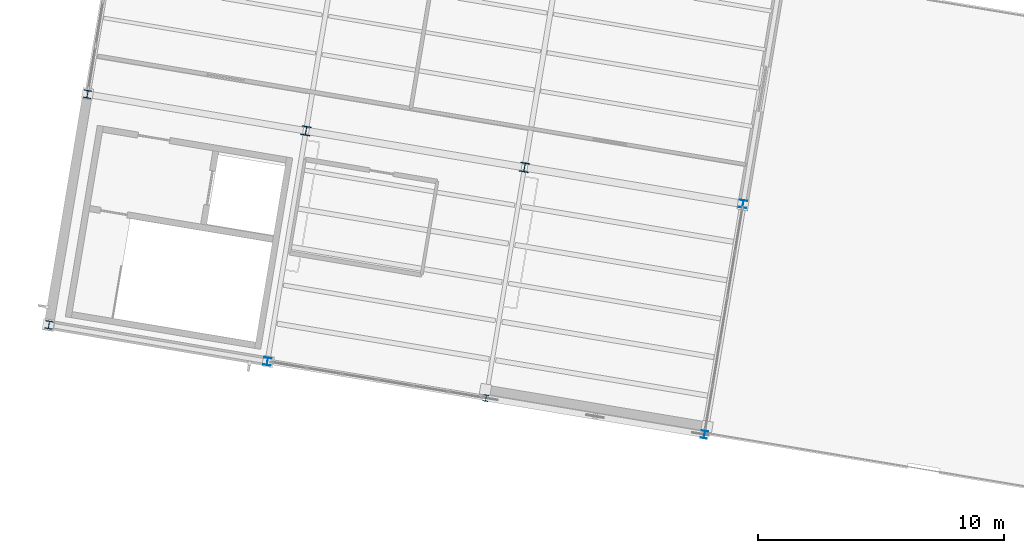
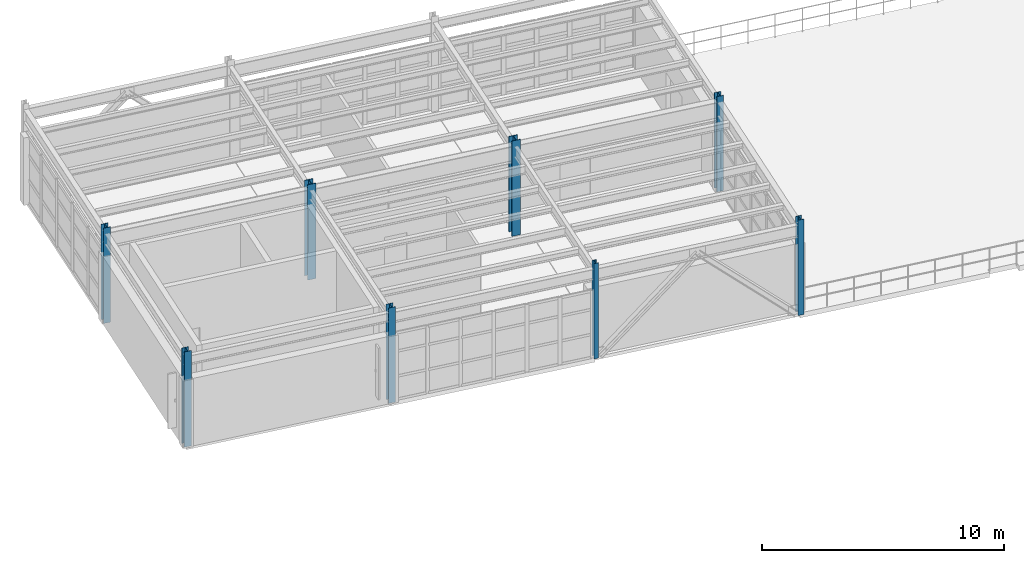
# One storey, part 7 of 59: 8 columns.
"""IFC4 building model written with IfcOpenShell, lengths in metres."""

import ifcopenshell
import ifcopenshell.guid

model = None  # the IFC model being written
_history = None  # IfcOwnerHistory: only IFC2X3 demands one
_inside = {}  # id of a spatial element -> (the spatial element, [elements in it])
_under = {}  # id of a project, library or spatial element -> (it, [spatial elements below it])
_declared = {}  # id of a project -> (the project, [libraries it declares])
_typed = {}  # id of a type object -> (the type object, [elements of that type])
_made_of = {}  # id of a material, layer set ... -> (it, [elements and type objects made of it])


def new_model(schema):
    """Start an empty IFC model of exactly this schema.

    Asked for "IFC4X3", IfcOpenShell would pick the latest addendum, in which some entities
    have other attributes; the version numbers below select the first issue.
    IFC2X3 requires an IfcOwnerHistory on every rooted entity: one is made here for all.
    """
    global model, _history
    if schema == "IFC4X3":
        model = ifcopenshell.file(schema_version=(4, 3, 0, 0))
    else:
        model = ifcopenshell.file(schema=schema)
    _inside.clear()
    _under.clear()
    _declared.clear()
    _typed.clear()
    _made_of.clear()
    _history = None
    if model.schema == "IFC2X3":
        org = make("IfcOrganization", Name="unknown")
        user = make(
            "IfcPersonAndOrganization",
            ThePerson=make("IfcPerson", FamilyName="unknown"),
            TheOrganization=org,
        )
        app = make(
            "IfcApplication",
            ApplicationDeveloper=org,
            Version="unknown",
            ApplicationFullName="unknown",
            ApplicationIdentifier="unknown",
        )
        _history = make(
            "IfcOwnerHistory",
            OwningUser=user,
            OwningApplication=app,
            ChangeAction="ADDED",
            CreationDate=0,
        )
    return model


def make(cls, **values):
    """One entity of the class cls with the attributes given. An attribute that is None is left unset."""
    return model.create_entity(
        cls, **{name: value for name, value in values.items() if value is not None}
    )


def rooted(cls, **values):
    """An entity with a GlobalId (a new one), such as an element, a storey or a relation."""
    return make(cls, GlobalId=ifcopenshell.guid.new(), OwnerHistory=_history, **values)


def si_unit(unit_type, name, prefix=None):
    """IfcSIUnit, for example si_unit("LENGTHUNIT", "METRE", prefix="MILLI")."""
    return make("IfcSIUnit", UnitType=unit_type, Prefix=prefix, Name=name)


def assignment(units):
    """IfcUnitAssignment: the units of a project."""
    return None if units is None else make("IfcUnitAssignment", Units=units)


def point(xyz):
    """IfcCartesianPoint."""
    return None if xyz is None else make("IfcCartesianPoint", Coordinates=xyz)


def direction(xyz):
    """IfcDirection."""
    return None if xyz is None else make("IfcDirection", DirectionRatios=xyz)


def frame(location, z_axis=None, x_axis=None):
    """IfcAxis2Placement3D, a coordinate frame: its origin and axes. An axis left out is left unset."""
    return make(
        "IfcAxis2Placement3D",
        Location=point(location),
        Axis=direction(z_axis),
        RefDirection=direction(x_axis),
    )


def frame_2d(location, x_axis=None):
    """IfcAxis2Placement2D, a coordinate frame in the plane: its origin and x axis."""
    return make(
        "IfcAxis2Placement2D", Location=point(location), RefDirection=direction(x_axis)
    )


def origin():
    """The frame at (0, 0, 0) with its axes left unset."""
    return frame((0.0, 0.0, 0.0))


def origin_2d():
    """The frame at (0, 0) in the plane with its x axis left unset."""
    return frame_2d((0.0, 0.0))


def place(relative_to, where):
    """IfcLocalPlacement: puts the frame where relative to a parent placement (None: the world)."""
    return make(
        "IfcLocalPlacement", PlacementRelTo=relative_to, RelativePlacement=where
    )


def context(
    kind, dimensions, precision=None, world=None, true_north=None, identifier=None
):
    """IfcGeometricRepresentationContext, for example the 3D "Model" context."""
    return make(
        "IfcGeometricRepresentationContext",
        ContextIdentifier=identifier,
        ContextType=kind,
        CoordinateSpaceDimension=dimensions,
        Precision=precision,
        WorldCoordinateSystem=world,
        TrueNorth=true_north,
    )


def subcontext(parent, identifier, kind, view, scale=None):
    """IfcGeometricRepresentationSubContext, for example "Body" below "Model"."""
    return make(
        "IfcGeometricRepresentationSubContext",
        ContextIdentifier=identifier,
        ContextType=kind,
        ParentContext=parent,
        TargetScale=scale,
        TargetView=view,
    )


def project(units=None, contexts=None):
    """IfcProject with its units and contexts."""
    return rooted(
        "IfcProject",
        Name="project",
        RepresentationContexts=contexts,
        UnitsInContext=assignment(units),
    )


def spatial(cls, under=None, at=None, **own):
    """A site, building, storey or space (cls), placed at a placement, below another one or the project."""
    s = rooted(cls, ObjectPlacement=at, **own)
    if under is not None:
        _under.setdefault(under.id(), (under, []))[1].append(s)
    return s


def profile(cls, at=None, kind="AREA", **sizes):
    """A parametric profile (cls). Its sizes go by their IFC names, for example OverallWidth=200.0."""
    return make(cls, ProfileType=kind, Position=at, **sizes)


def i_section(**sizes):
    """IfcIShapeProfileDef."""
    return profile("IfcIShapeProfileDef", **sizes)


def extrude(swept, where, along, depth):
    """IfcExtrudedAreaSolid: the profile swept, set in the frame where, extruded along a direction by depth."""
    return make(
        "IfcExtrudedAreaSolid",
        SweptArea=swept,
        Position=where,
        ExtrudedDirection=direction(along),
        Depth=depth,
    )


def shape(context_of_items, identifier, shape_type, items):
    """IfcShapeRepresentation: the items that make up one representation, for example the "Body"."""
    return make(
        "IfcShapeRepresentation",
        ContextOfItems=context_of_items,
        RepresentationIdentifier=identifier,
        RepresentationType=shape_type,
        Items=items,
    )


def material(Name=None, Category=None):
    """IfcMaterial."""
    return make("IfcMaterial", Name=Name, Category=Category)


def material_profile(
    of_material, cross_section, Name=None, Category=None, Priority=None
):
    """IfcMaterialProfile: a cross section and its material."""
    return make(
        "IfcMaterialProfile",
        Name=Name,
        Material=of_material,
        Profile=cross_section,
        Priority=Priority,
        Category=Category,
    )


def profile_set(profiles, Name=None, composite=None):
    """IfcMaterialProfileSet."""
    return make(
        "IfcMaterialProfileSet",
        Name=Name,
        MaterialProfiles=profiles,
        CompositeProfile=composite,
    )


def made_of(thing, what):
    """Note that an element or type object is made of a material, layer set ...; save() writes the relation."""
    if what is not None:
        _made_of.setdefault(what.id(), (what, []))[1].append(thing)
    return thing


def type_object(cls, material=None, **own):
    """A type object (cls), such as IfcWallType, which elements share."""
    return made_of(rooted(cls, **own), material)


def element(
    cls,
    number,
    at=None,
    inside=None,
    cuts=None,
    type_object=None,
    material=None,
    context=None,
    identifier="Body",
    shape_type=None,
    held_by="IfcProductDefinitionShape",
    body=None,
    shapes=None,
    **own,
):
    """One element of the class cls, such as IfcWall. Its Tag is "e" and its number.

    at: its placement. inside: the storey or other place that contains it. cuts: it is an
    opening in that element (IfcRelVoidsElement). A single representation is given by context,
    identifier, shape_type and body (its items); several are given by shapes. held_by: the class
    of the entity that holds the representations. save() writes the other relations.
    """
    e = rooted(cls, Tag="e%d" % number, ObjectPlacement=at, **own)
    if body is not None:
        shapes = [shape(context, identifier, shape_type, body)]
    if shapes is not None:
        e.Representation = make(held_by, Representations=shapes)
    if inside is not None:
        _inside.setdefault(inside.id(), (inside, []))[1].append(e)
    if cuts is not None:
        rooted(
            "IfcRelVoidsElement", RelatingBuildingElement=cuts, RelatedOpeningElement=e
        )
    if type_object is not None:
        _typed.setdefault(type_object.id(), (type_object, []))[1].append(e)
    return made_of(e, material)


def aggregate(whole, parts):
    """IfcRelAggregates: a whole, such as a stair, and the parts it consists of."""
    return rooted("IfcRelAggregates", RelatingObject=whole, RelatedObjects=parts)


def save(model, path):
    """Write the relations noted so far, then the file.

    IfcRelAggregates (storeys below a building ...), IfcRelContainedInSpatialStructure (elements
    in a storey), IfcRelDefinesByType, IfcRelAssociatesMaterial and IfcRelDeclares: one each for
    every whole, place, type object, material and project.
    """
    for whole, parts in _under.values():
        aggregate(whole, parts)
    for where, things in _inside.values():
        rooted(
            "IfcRelContainedInSpatialStructure",
            RelatedElements=things,
            RelatingStructure=where,
        )
    for kind, things in _typed.values():
        rooted("IfcRelDefinesByType", RelatedObjects=things, RelatingType=kind)
    for what, things in _made_of.values():
        rooted("IfcRelAssociatesMaterial", RelatedObjects=things, RelatingMaterial=what)
    for by, libraries in _declared.values():
        rooted("IfcRelDeclares", RelatingContext=by, RelatedDefinitions=libraries)
    model.write(path)


model = new_model("IFC4")

# Units and contexts
model_context = context("Model", 3, precision=1e-05, world=origin(), true_north=direction((0.0, 1.0)))
body_context = subcontext(model_context, "Body", "Model", "MODEL_VIEW")
ifc_project = project(units=[si_unit("LENGTHUNIT", "METRE"), si_unit("AREAUNIT", "SQUARE_METRE"), si_unit("VOLUMEUNIT", "CUBIC_METRE"), si_unit("PLANEANGLEUNIT", "RADIAN"), si_unit("MASSUNIT", "GRAM", prefix="KILO")], contexts=[model_context])

# Site, building, storey
site_placement = place(None, origin())
site = spatial("IfcSite", under=ifc_project, at=site_placement, CompositionType="ELEMENT")
building_placement = place(site_placement, origin())
building = spatial("IfcBuilding", under=site, at=building_placement, Name="Vireo Bluff Cable Station", CompositionType="ELEMENT")
storey_placement = place(building_placement, frame((0.0, 0.0, 14.39990234375)))
storey = spatial("IfcBuildingStorey", under=building, at=storey_placement, Name="L03", CompositionType="ELEMENT", Elevation=14.39990234375)

# Columns
ifc_material = material(Name="Steel ASTM A992 Gr. 50", Category="steel")
ifc_material_profile_1 = material_profile(ifc_material, i_section(OverallWidth=0.373046875, OverallDepth=0.367919921875, WebThickness=0.014892578125, FlangeThickness=0.02392578125, FilletRadius=0.014892578125, at=origin_2d()), Name="W14X120")
ifc_profile_set_1 = profile_set([ifc_material_profile_1], Name="Steel ASTM A992 Gr. 50")
column_type_1 = type_object("IfcColumnType", Name="COL-W14X120", PredefinedType="COLUMN", material=ifc_profile_set_1)
column_1_placement = place(storey_placement, frame((17.512451171875, 88.75390625, 0.0), z_axis=(0.0, 0.0, 1.0), x_axis=(0.986285601537, -0.165047605861, 0.0)))
element("IfcColumn", 1, at=column_1_placement, inside=storey, type_object=column_type_1, Name="V4 L03 column 271", PredefinedType="COLUMN", context=body_context, shape_type="SweptSolid", body=[
    extrude(i_section(OverallWidth=0.373046875, OverallDepth=0.367919921875, WebThickness=0.014892578125, FlangeThickness=0.02392578125, FilletRadius=0.014892578125, at=origin_2d()), origin(), (0.0, 0.0, 1.0), 4.800048828125),
])
ifc_material_profile_2 = material_profile(ifc_material, i_section(OverallWidth=0.373046875, OverallDepth=0.373046875, WebThickness=0.016357421875, FlangeThickness=0.026123046875, FilletRadius=0.014892578125, at=origin_2d()), Name="W14X132")
ifc_profile_set_2 = profile_set([ifc_material_profile_2], Name="Steel ASTM A992 Gr. 50")
column_type_2 = type_object("IfcColumnType", Name="COL-W14X132", PredefinedType="COLUMN", material=ifc_profile_set_2)
column_2_placement = place(storey_placement, frame((26.38916015625, 87.2685546875, 0.0), z_axis=(0.0, 0.0, 1.0), x_axis=(0.986285601537, -0.165047605861, 0.0)))
element("IfcColumn", 2, at=column_2_placement, inside=storey, type_object=column_type_2, Name="V4 L03 column 286", PredefinedType="COLUMN", context=body_context, shape_type="SweptSolid", body=[
    extrude(i_section(OverallWidth=0.373046875, OverallDepth=0.373046875, WebThickness=0.016357421875, FlangeThickness=0.026123046875, FilletRadius=0.014892578125, at=origin_2d()), origin(), (0.0, 0.0, 1.0), 4.800048828125),
])
ifc_material_profile_3 = material_profile(ifc_material, i_section(OverallWidth=0.304931640625, OverallDepth=0.306884765625, WebThickness=0.010009765625, FlangeThickness=0.015380859375, FilletRadius=0.012939453125, at=origin_2d()), Name="W12X65")
ifc_profile_set_3 = profile_set([ifc_material_profile_3], Name="Steel ASTM A992 Gr. 50")
column_type_3 = type_object("IfcColumnType", Name="ECOL-W12X65", PredefinedType="COLUMN", material=ifc_profile_set_3)
for number, where, z_axis, x_axis, name in (
    (3, (15.944580078125, 79.38427734375, 0.0), (0.0, 0.0, 1.0), (0.986285601537, -0.165047605861, 0.0), "V4 L03 column 267"),
    (4, (35.265625, 85.783203125, 0.0), (0.0, 0.0, 1.0), (0.986285601537, -0.165047605861, 0.0), "V4 L03 column 301"),
):
    element("IfcColumn", number, at=place(storey_placement, frame(where, z_axis=z_axis, x_axis=x_axis)), inside=storey, type_object=column_type_3, Name=name, PredefinedType="COLUMN", context=body_context, shape_type="SweptSolid", body=[
        extrude(i_section(OverallWidth=0.304931640625, OverallDepth=0.306884765625, WebThickness=0.010009765625, FlangeThickness=0.015380859375, FilletRadius=0.012939453125, at=origin_2d()), origin(), (0.0, 0.0, 1.0), 4.800048828125),
    ])
ifc_material_profile_4 = material_profile(ifc_material, i_section(OverallWidth=0.306884765625, OverallDepth=0.31494140625, WebThickness=0.011962890625, FlangeThickness=0.018798828125, FilletRadius=0.012939453125, at=origin_2d()), Name="W12X79")
ifc_profile_set_4 = profile_set([ifc_material_profile_4], Name="Steel ASTM A992 Gr. 50")
column_type_4 = type_object("IfcColumnType", Name="ECOL-W12X79", PredefinedType="COLUMN", material=ifc_profile_set_4)
for number, where, z_axis, x_axis, name in (
    (5, (7.06787109375, 80.86962890625, 0.0), (0.0, 0.0, 1.0), (0.986285601537, -0.165047605861, 0.0), "V4 L03 column 252"),
    (6, (8.635986328125, 90.239501953125, 0.0), (0.0, 0.0, 1.0), (0.986285601537, -0.165047605861, 0.0), "V4 L03 column 256"),
):
    element("IfcColumn", number, at=place(storey_placement, frame(where, z_axis=z_axis, x_axis=x_axis)), inside=storey, type_object=column_type_4, Name=name, PredefinedType="COLUMN", context=body_context, shape_type="SweptSolid", body=[
        extrude(i_section(OverallWidth=0.306884765625, OverallDepth=0.31494140625, WebThickness=0.011962890625, FlangeThickness=0.018798828125, FilletRadius=0.012939453125, at=origin_2d()), origin(), (0.0, 0.0, 1.0), 4.800048828125),
    ])
ifc_material_profile_5 = material_profile(ifc_material, i_section(OverallWidth=0.2041015625, OverallDepth=0.257080078125, WebThickness=0.0087890625, FlangeThickness=0.015625, FilletRadius=0.009033203125, at=origin_2d()), Name="W10X45")
ifc_profile_set_5 = profile_set([ifc_material_profile_5], Name="Steel ASTM A992 Gr. 50")
column_type_5 = type_object("IfcColumnType", Name="PIL-W10X45", PredefinedType="PILASTER", material=ifc_profile_set_5)
column_3_placement = place(storey_placement, frame((24.821044921875, 77.89892578125, 0.0), z_axis=(0.0, 0.0, 1.0), x_axis=(0.986285601537, -0.165047605861, 0.0)))
element("IfcColumn", 7, at=column_3_placement, inside=storey, type_object=column_type_5, Name="V4 L03 column 282", PredefinedType="PILASTER", context=body_context, shape_type="SweptSolid", body=[
    extrude(i_section(OverallWidth=0.2041015625, OverallDepth=0.257080078125, WebThickness=0.0087890625, FlangeThickness=0.015625, FilletRadius=0.009033203125, at=origin_2d()), origin(), (0.0, 0.0, 1.0), 4.800048828125),
])
ifc_material_profile_6 = material_profile(ifc_material, i_section(OverallWidth=0.25390625, OverallDepth=0.305908203125, WebThickness=0.0087890625, FlangeThickness=0.0146484375, FilletRadius=0.010986328125, at=origin_2d()), Name="W12X53")
ifc_profile_set_6 = profile_set([ifc_material_profile_6], Name="Steel ASTM A992 Gr. 50")
column_type_6 = type_object("IfcColumnType", Name="PIL-W12X53", PredefinedType="PILASTER", material=ifc_profile_set_6)
column_4_placement = place(storey_placement, frame((33.69775390625, 76.413330078125, 0.0), z_axis=(0.0, 0.0, 1.0), x_axis=(0.986285601537, -0.165047605861, 0.0)))
element("IfcColumn", 8, at=column_4_placement, inside=storey, type_object=column_type_6, Name="V4 L03 column 297", PredefinedType="PILASTER", context=body_context, shape_type="SweptSolid", body=[
    extrude(i_section(OverallWidth=0.25390625, OverallDepth=0.305908203125, WebThickness=0.0087890625, FlangeThickness=0.0146484375, FilletRadius=0.010986328125, at=origin_2d()), origin(), (0.0, 0.0, 1.0), 4.800048828125),
])

save(model, "model.ifc")
